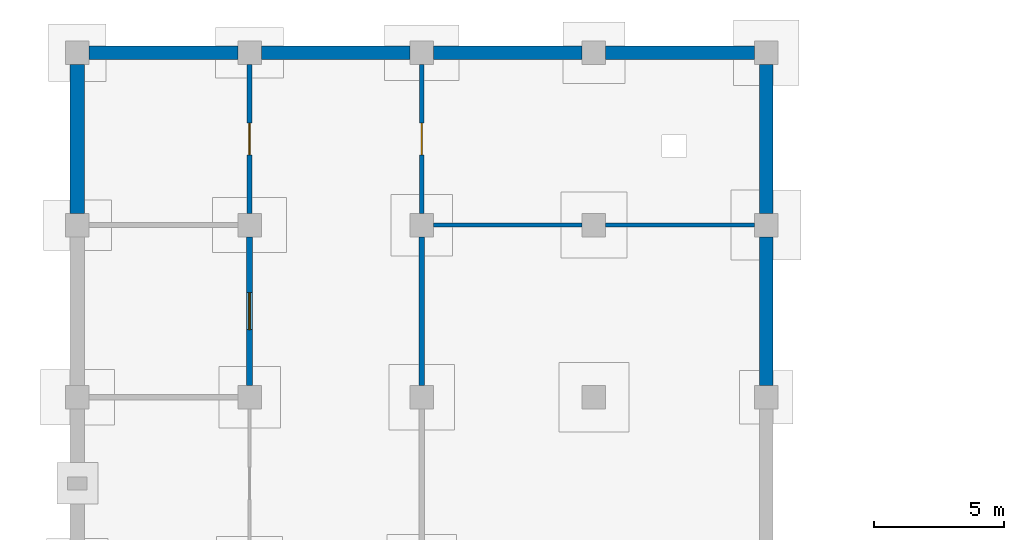
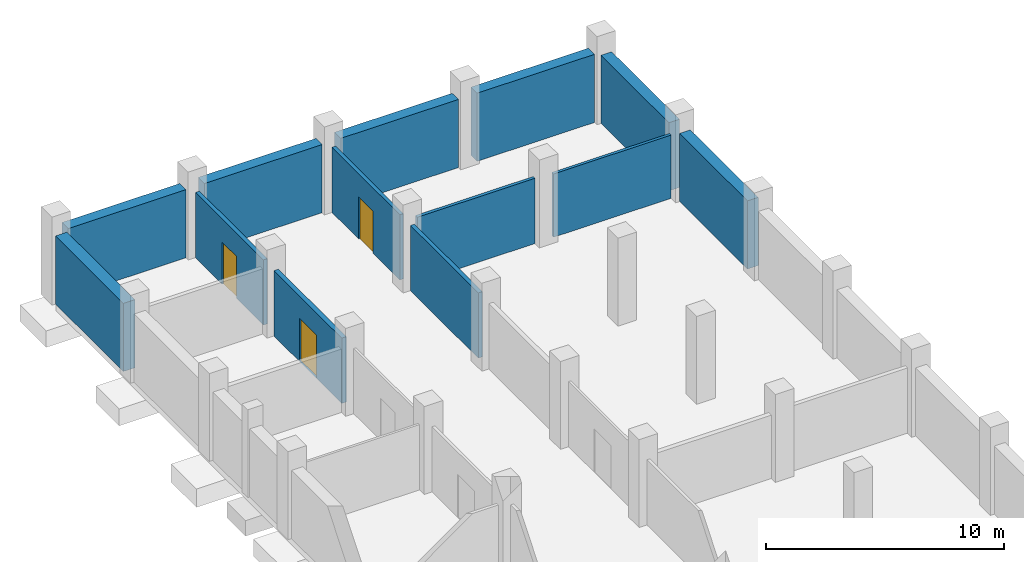
# One storey, part 14 of 18: 13 walls, 3 doors, 3 openings.
"""IFC4 building model written with IfcOpenShell, lengths in metres."""

import ifcopenshell
import ifcopenshell.guid

model = None  # the IFC model being written
_history = None  # IfcOwnerHistory: only IFC2X3 demands one
_inside = {}  # id of a spatial element -> (the spatial element, [elements in it])
_under = {}  # id of a project, library or spatial element -> (it, [spatial elements below it])
_declared = {}  # id of a project -> (the project, [libraries it declares])
_typed = {}  # id of a type object -> (the type object, [elements of that type])
_made_of = {}  # id of a material, layer set ... -> (it, [elements and type objects made of it])


def new_model(schema):
    """Start an empty IFC model of exactly this schema.

    Asked for "IFC4X3", IfcOpenShell would pick the latest addendum, in which some entities
    have other attributes; the version numbers below select the first issue.
    IFC2X3 requires an IfcOwnerHistory on every rooted entity: one is made here for all.
    """
    global model, _history
    if schema == "IFC4X3":
        model = ifcopenshell.file(schema_version=(4, 3, 0, 0))
    else:
        model = ifcopenshell.file(schema=schema)
    _inside.clear()
    _under.clear()
    _declared.clear()
    _typed.clear()
    _made_of.clear()
    _history = None
    if model.schema == "IFC2X3":
        org = make("IfcOrganization", Name="unknown")
        user = make(
            "IfcPersonAndOrganization",
            ThePerson=make("IfcPerson", FamilyName="unknown"),
            TheOrganization=org,
        )
        app = make(
            "IfcApplication",
            ApplicationDeveloper=org,
            Version="unknown",
            ApplicationFullName="unknown",
            ApplicationIdentifier="unknown",
        )
        _history = make(
            "IfcOwnerHistory",
            OwningUser=user,
            OwningApplication=app,
            ChangeAction="ADDED",
            CreationDate=0,
        )
    return model


def make(cls, **values):
    """One entity of the class cls with the attributes given. An attribute that is None is left unset."""
    return model.create_entity(
        cls, **{name: value for name, value in values.items() if value is not None}
    )


def rooted(cls, **values):
    """An entity with a GlobalId (a new one), such as an element, a storey or a relation."""
    return make(cls, GlobalId=ifcopenshell.guid.new(), OwnerHistory=_history, **values)


def si_unit(unit_type, name, prefix=None):
    """IfcSIUnit, for example si_unit("LENGTHUNIT", "METRE", prefix="MILLI")."""
    return make("IfcSIUnit", UnitType=unit_type, Prefix=prefix, Name=name)


def assignment(units):
    """IfcUnitAssignment: the units of a project."""
    return None if units is None else make("IfcUnitAssignment", Units=units)


def point(xyz):
    """IfcCartesianPoint."""
    return None if xyz is None else make("IfcCartesianPoint", Coordinates=xyz)


def direction(xyz):
    """IfcDirection."""
    return None if xyz is None else make("IfcDirection", DirectionRatios=xyz)


def frame(location, z_axis=None, x_axis=None):
    """IfcAxis2Placement3D, a coordinate frame: its origin and axes. An axis left out is left unset."""
    return make(
        "IfcAxis2Placement3D",
        Location=point(location),
        Axis=direction(z_axis),
        RefDirection=direction(x_axis),
    )


def frame_2d(location, x_axis=None):
    """IfcAxis2Placement2D, a coordinate frame in the plane: its origin and x axis."""
    return make(
        "IfcAxis2Placement2D", Location=point(location), RefDirection=direction(x_axis)
    )


def origin():
    """The frame at (0, 0, 0) with its axes left unset."""
    return frame((0.0, 0.0, 0.0))


def place(relative_to, where):
    """IfcLocalPlacement: puts the frame where relative to a parent placement (None: the world)."""
    return make(
        "IfcLocalPlacement", PlacementRelTo=relative_to, RelativePlacement=where
    )


def context(
    kind, dimensions, precision=None, world=None, true_north=None, identifier=None
):
    """IfcGeometricRepresentationContext, for example the 3D "Model" context."""
    return make(
        "IfcGeometricRepresentationContext",
        ContextIdentifier=identifier,
        ContextType=kind,
        CoordinateSpaceDimension=dimensions,
        Precision=precision,
        WorldCoordinateSystem=world,
        TrueNorth=true_north,
    )


def subcontext(parent, identifier, kind, view, scale=None):
    """IfcGeometricRepresentationSubContext, for example "Body" below "Model"."""
    return make(
        "IfcGeometricRepresentationSubContext",
        ContextIdentifier=identifier,
        ContextType=kind,
        ParentContext=parent,
        TargetScale=scale,
        TargetView=view,
    )


def project(units=None, contexts=None):
    """IfcProject with its units and contexts."""
    return rooted(
        "IfcProject",
        Name="project",
        RepresentationContexts=contexts,
        UnitsInContext=assignment(units),
    )


def spatial(cls, under=None, at=None, **own):
    """A site, building, storey or space (cls), placed at a placement, below another one or the project."""
    s = rooted(cls, ObjectPlacement=at, **own)
    if under is not None:
        _under.setdefault(under.id(), (under, []))[1].append(s)
    return s


def profile(cls, at=None, kind="AREA", **sizes):
    """A parametric profile (cls). Its sizes go by their IFC names, for example OverallWidth=200.0."""
    return make(cls, ProfileType=kind, Position=at, **sizes)


def rectangle(**sizes):
    """IfcRectangleProfileDef."""
    return profile("IfcRectangleProfileDef", **sizes)


def extrude(swept, where, along, depth):
    """IfcExtrudedAreaSolid: the profile swept, set in the frame where, extruded along a direction by depth."""
    return make(
        "IfcExtrudedAreaSolid",
        SweptArea=swept,
        Position=where,
        ExtrudedDirection=direction(along),
        Depth=depth,
    )


def shape(context_of_items, identifier, shape_type, items):
    """IfcShapeRepresentation: the items that make up one representation, for example the "Body"."""
    return make(
        "IfcShapeRepresentation",
        ContextOfItems=context_of_items,
        RepresentationIdentifier=identifier,
        RepresentationType=shape_type,
        Items=items,
    )


def material(Name=None, Category=None):
    """IfcMaterial."""
    return make("IfcMaterial", Name=Name, Category=Category)


def layer(
    of_material, thickness, ventilated=None, Name=None, Category=None, Priority=None
):
    """IfcMaterialLayer: one layer of a wall or slab, of a material (None: an air gap)."""
    return make(
        "IfcMaterialLayer",
        Material=of_material,
        LayerThickness=thickness,
        IsVentilated=ventilated,
        Name=Name,
        Category=Category,
        Priority=Priority,
    )


def layer_set(layers, Name=None):
    """IfcMaterialLayerSet."""
    return make("IfcMaterialLayerSet", MaterialLayers=layers, LayerSetName=Name)


def made_of(thing, what):
    """Note that an element or type object is made of a material, layer set ...; save() writes the relation."""
    if what is not None:
        _made_of.setdefault(what.id(), (what, []))[1].append(thing)
    return thing


def type_object(cls, material=None, **own):
    """A type object (cls), such as IfcWallType, which elements share."""
    return made_of(rooted(cls, **own), material)


def element(
    cls,
    number,
    at=None,
    inside=None,
    cuts=None,
    type_object=None,
    material=None,
    context=None,
    identifier="Body",
    shape_type=None,
    held_by="IfcProductDefinitionShape",
    body=None,
    shapes=None,
    **own,
):
    """One element of the class cls, such as IfcWall. Its Tag is "e" and its number.

    at: its placement. inside: the storey or other place that contains it. cuts: it is an
    opening in that element (IfcRelVoidsElement). A single representation is given by context,
    identifier, shape_type and body (its items); several are given by shapes. held_by: the class
    of the entity that holds the representations. save() writes the other relations.
    """
    e = rooted(cls, Tag="e%d" % number, ObjectPlacement=at, **own)
    if body is not None:
        shapes = [shape(context, identifier, shape_type, body)]
    if shapes is not None:
        e.Representation = make(held_by, Representations=shapes)
    if inside is not None:
        _inside.setdefault(inside.id(), (inside, []))[1].append(e)
    if cuts is not None:
        rooted(
            "IfcRelVoidsElement", RelatingBuildingElement=cuts, RelatedOpeningElement=e
        )
    if type_object is not None:
        _typed.setdefault(type_object.id(), (type_object, []))[1].append(e)
    return made_of(e, material)


def fill(opening, filler):
    """IfcRelFillsElement: the door or window that sits in an opening."""
    return rooted(
        "IfcRelFillsElement",
        RelatingOpeningElement=opening,
        RelatedBuildingElement=filler,
    )


def aggregate(whole, parts):
    """IfcRelAggregates: a whole, such as a stair, and the parts it consists of."""
    return rooted("IfcRelAggregates", RelatingObject=whole, RelatedObjects=parts)


def save(model, path):
    """Write the relations noted so far, then the file.

    IfcRelAggregates (storeys below a building ...), IfcRelContainedInSpatialStructure (elements
    in a storey), IfcRelDefinesByType, IfcRelAssociatesMaterial and IfcRelDeclares: one each for
    every whole, place, type object, material and project.
    """
    for whole, parts in _under.values():
        aggregate(whole, parts)
    for where, things in _inside.values():
        rooted(
            "IfcRelContainedInSpatialStructure",
            RelatedElements=things,
            RelatingStructure=where,
        )
    for kind, things in _typed.values():
        rooted("IfcRelDefinesByType", RelatedObjects=things, RelatingType=kind)
    for what, things in _made_of.values():
        rooted("IfcRelAssociatesMaterial", RelatedObjects=things, RelatingMaterial=what)
    for by, libraries in _declared.values():
        rooted("IfcRelDeclares", RelatingContext=by, RelatedDefinitions=libraries)
    model.write(path)


model = new_model("IFC4")

# Units and contexts
model_context = context("Model", 3, precision=1e-05, world=origin(), true_north=direction((0.0, 1.0)))
body_context = subcontext(model_context, "Body", "Model", "MODEL_VIEW")
ifc_project = project(units=[si_unit("LENGTHUNIT", "METRE"), si_unit("AREAUNIT", "SQUARE_METRE"), si_unit("VOLUMEUNIT", "CUBIC_METRE"), si_unit("PLANEANGLEUNIT", "RADIAN"), si_unit("MASSUNIT", "GRAM", prefix="KILO")], contexts=[model_context])

# Site, building, storey
site_placement = place(None, origin())
site = spatial("IfcSite", under=ifc_project, at=site_placement, CompositionType="ELEMENT")
building_placement = place(site_placement, origin())
building = spatial("IfcBuilding", under=site, at=building_placement, Name="Rusizi Kubbe Research Institute", CompositionType="ELEMENT")
storey_placement = place(building_placement, frame((0.0, 0.0, -4.5)))
storey = spatial("IfcBuildingStorey", under=building, at=storey_placement, Name="B01", CompositionType="ELEMENT", Elevation=-4.5)

# Wall, opening, door
ifc_material_1 = material(Name="Concrete Blockwork Fire Partition", Category="masonry")
ifc_layer_1 = layer(ifc_material_1, 0.22509765625)
ifc_layer_set_1 = layer_set([ifc_layer_1], Name="Concrete Blockwork Fire Partition")
wall_type_1 = type_object("IfcWallType", Name="IW-01", PredefinedType="PARTITIONING", material=ifc_layer_set_1)
wall_1_placement = place(storey_placement, frame((6.60009765625, 158.85009765625, 0.0), z_axis=(0.0, 0.0, 1.0), x_axis=(0.0, 1.0, 0.0)))
wall_1 = element("IfcWall", 1, at=wall_1_placement, inside=storey, type_object=wall_type_1, Name="Interior Partition Wall B01 V1-24", PredefinedType="PARTITIONING", context=body_context, shape_type="SweptSolid", body=[
    extrude(rectangle(XDim=5.699951171875, YDim=0.22509765625, at=frame_2d((2.85009765625, 0.0))), origin(), (0.0, 0.0, 1.0), 3.340087890625),
])
opening_1_placement = place(wall_1_placement, frame((2.139892578125, 0.0, 0.0)))
opening_1 = element("IfcOpeningElement", 2, at=opening_1_placement, cuts=wall_1, Name="Opening D-22", PredefinedType="OPENING", context=body_context, shape_type="SweptSolid", body=[
    extrude(rectangle(XDim=1.419921875, YDim=2.199951171875, at=frame_2d((0.7099609375, 1.10009765625))), frame((0.0, 0.12255859375, 0.0), z_axis=(0.0, -1.0, 0.0), x_axis=(1.0, 0.0, 0.0)), (0.0, 0.0, 1.0), 0.2451171875),
])
ifc_material_2 = material(Name="Fire-Rated Steel Frame and Acoustic Timber Leaf", Category="wood")
door_type_1 = type_object("IfcDoorType", Name="ID-STR-142", OperationType="DOUBLE_DOOR_SINGLE_SWING", PredefinedType="DOOR", material=ifc_material_2)
door_1_placement = place(opening_1_placement, origin())
door_1 = element("IfcDoor", 3, at=door_1_placement, inside=storey, type_object=door_type_1, Name="Door to Staff and Accessible Parking Zone (B01-B01W-24)", OperationType="DOUBLE_DOOR_SINGLE_SWING", OverallHeight=2.199951171875, OverallWidth=1.419921875, PredefinedType="DOOR", context=body_context, shape_type="SweptSolid", body=[
    extrude(rectangle(XDim=1.419921875, YDim=2.199951171875, at=frame_2d((0.7099609375, 1.10009765625))), frame((0.0, 0.02490234375, 0.0), z_axis=(0.0, -1.0, 0.0), x_axis=(1.0, 0.0, 0.0)), (0.0, 0.0, 1.0), 0.050048828125),
])
fill(opening_1, door_1)

ifc_material_3 = material(Name="Insulated Cleanroom Partition", Category="masonry")
ifc_layer_2 = layer(ifc_material_3, 0.195068359375)
ifc_layer_set_2 = layer_set([ifc_layer_2], Name="Insulated Cleanroom Partition")
wall_type_2 = type_object("IfcWallType", Name="IW-02", PredefinedType="PARTITIONING", material=ifc_layer_set_2)
wall_2_placement = place(storey_placement, frame((6.60009765625, 165.449951171875, 0.0), z_axis=(0.0, 0.0, 1.0), x_axis=(0.0, 1.0, 0.0)))
wall_2 = element("IfcWall", 4, at=wall_2_placement, inside=storey, type_object=wall_type_2, Name="Interior Partition Wall B01 V1-25", PredefinedType="PARTITIONING", context=body_context, shape_type="SweptSolid", body=[
    extrude(rectangle(XDim=5.699951171875, YDim=0.195068359375, at=frame_2d((2.85009765625, 0.0))), origin(), (0.0, 0.0, 1.0), 3.340087890625),
])
opening_2_placement = place(wall_2_placement, frame((2.239990234375, 0.0, 0.0)))
opening_2 = element("IfcOpeningElement", 5, at=opening_2_placement, cuts=wall_2, Name="Opening D-21", PredefinedType="OPENING", context=body_context, shape_type="SweptSolid", body=[
    extrude(rectangle(XDim=1.219970703125, YDim=2.14990234375, at=frame_2d((0.60986328125, 1.074951171875))), frame((0.0, 0.107421875, 0.0), z_axis=(0.0, -1.0, 0.0), x_axis=(1.0, 0.0, 0.0)), (0.0, 0.0, 1.0), 0.215087890625),
])
ifc_material_4 = material(Name="Fire-Rated Steel Frame and Acoustic Timber Leaf", Category="wood")
door_type_2 = type_object("IfcDoorType", Name="ID-STR-122", OperationType="NOTDEFINED", PredefinedType="DOOR", material=ifc_material_4)
door_2_placement = place(opening_2_placement, origin())
door_2 = element("IfcDoor", 6, at=door_2_placement, inside=storey, type_object=door_type_2, Name="Door to Staff and Accessible Parking Zone (B01-B01W-25)", OperationType="SINGLE_SWING_RIGHT", OverallHeight=2.14990234375, OverallWidth=1.219970703125, PredefinedType="DOOR", context=body_context, shape_type="SweptSolid", body=[
    extrude(rectangle(XDim=1.219970703125, YDim=2.14990234375, at=frame_2d((0.60986328125, 1.074951171875))), frame((0.0, 0.02490234375, 0.0), z_axis=(0.0, -1.0, 0.0), x_axis=(1.0, 0.0, 0.0)), (0.0, 0.0, 1.0), 0.050048828125),
])
fill(opening_2, door_2)

# Wall
wall_3_placement = place(storey_placement, frame((13.199951171875, 158.85009765625, 0.0), z_axis=(0.0, 0.0, 1.0), x_axis=(0.0, 1.0, 0.0)))
element("IfcWall", 7, at=wall_3_placement, inside=storey, type_object=wall_type_2, Name="Interior Partition Wall B01 V2-24", PredefinedType="PARTITIONING", context=body_context, shape_type="SweptSolid", body=[
    extrude(rectangle(XDim=5.699951171875, YDim=0.195068359375, at=frame_2d((2.85009765625, 0.0))), origin(), (0.0, 0.0, 1.0), 3.340087890625),
])

# Wall, opening, door
ifc_material_5 = material(Name="Acoustic Laboratory Partition", Category="masonry")
ifc_layer_3 = layer(ifc_material_5, 0.175048828125)
ifc_layer_set_3 = layer_set([ifc_layer_3], Name="Acoustic Laboratory Partition")
wall_type_3 = type_object("IfcWallType", Name="IW-03", PredefinedType="PARTITIONING", material=ifc_layer_set_3)
wall_4_placement = place(storey_placement, frame((13.199951171875, 165.449951171875, 0.0), z_axis=(0.0, 0.0, 1.0), x_axis=(0.0, 1.0, 0.0)))
wall_4 = element("IfcWall", 8, at=wall_4_placement, inside=storey, type_object=wall_type_3, Name="Interior Partition Wall B01 V2-25", PredefinedType="PARTITIONING", context=body_context, shape_type="SweptSolid", body=[
    extrude(rectangle(XDim=5.699951171875, YDim=0.175048828125, at=frame_2d((2.85009765625, 0.0))), origin(), (0.0, 0.0, 1.0), 3.340087890625),
])
opening_3_placement = place(wall_4_placement, frame((2.239990234375, 0.0, 0.0)))
opening_3 = element("IfcOpeningElement", 9, at=opening_3_placement, cuts=wall_4, Name="Opening D-21", PredefinedType="OPENING", context=body_context, shape_type="SweptSolid", body=[
    extrude(rectangle(XDim=1.219970703125, YDim=2.14990234375, at=frame_2d((0.60986328125, 1.074951171875))), frame((0.0, 0.097412109375, 0.0), z_axis=(0.0, -1.0, 0.0), x_axis=(1.0, 0.0, 0.0)), (0.0, 0.0, 1.0), 0.195068359375),
])
door_3_placement = place(opening_3_placement, origin())
door_3 = element("IfcDoor", 10, at=door_3_placement, inside=storey, type_object=door_type_2, Name="Door to Basement Vehicle Parking Hall (B01-NW-09)", OperationType="SINGLE_SWING_RIGHT", OverallHeight=2.14990234375, OverallWidth=1.219970703125, PredefinedType="DOOR", context=body_context, shape_type="SweptSolid", body=[
    extrude(rectangle(XDim=1.219970703125, YDim=2.14990234375, at=frame_2d((0.60986328125, 1.074951171875))), frame((0.0, 0.02490234375, 0.0), z_axis=(0.0, -1.0, 0.0), x_axis=(1.0, 0.0, 0.0)), (0.0, 0.0, 1.0), 0.050048828125),
])
fill(opening_3, door_3)

# Walls
ifc_material_6 = material(Name="Fire-Rated Corridor Partition", Category="masonry")
ifc_layer_4 = layer(ifc_material_6, 0.155029296875)
ifc_layer_set_4 = layer_set([ifc_layer_4], Name="Fire-Rated Corridor Partition")
wall_type_4 = type_object("IfcWallType", Name="IW-04", PredefinedType="PARTITIONING", material=ifc_layer_set_4)
wall_5_placement = place(storey_placement, frame((13.64990234375, 165.0, 0.0), z_axis=(0.0, 0.0, 1.0), x_axis=(1.0, 0.0, 0.0)))
element("IfcWall", 11, at=wall_5_placement, inside=storey, type_object=wall_type_4, Name="Interior Partition Wall B01 H2-25", PredefinedType="PARTITIONING", context=body_context, shape_type="SweptSolid", body=[
    extrude(rectangle(XDim=5.7001953125, YDim=0.155029296875, at=frame_2d((2.85009765625, 0.0))), origin(), (0.0, 0.0, 1.0), 3.340087890625),
])
ifc_material_7 = material(Name="Write-up Glazed Acoustic Partition", Category="masonry")
ifc_layer_5 = layer(ifc_material_7, 0.139892578125)
ifc_layer_set_5 = layer_set([ifc_layer_5], Name="Write-up Glazed Acoustic Partition")
wall_type_5 = type_object("IfcWallType", Name="IW-05", PredefinedType="PARTITIONING", material=ifc_layer_set_5)
wall_6_placement = place(storey_placement, frame((20.25, 165.0, 0.0), z_axis=(0.0, 0.0, 1.0), x_axis=(1.0, 0.0, 0.0)))
element("IfcWall", 12, at=wall_6_placement, inside=storey, type_object=wall_type_5, Name="Interior Partition Wall B01 H3-25", PredefinedType="PARTITIONING", context=body_context, shape_type="SweptSolid", body=[
    extrude(rectangle(XDim=5.699951171875, YDim=0.139892578125, at=frame_2d((2.85009765625, 0.0))), origin(), (0.0, 0.0, 1.0), 3.239990234375),
])
ifc_material_8 = material(Name="Concrete C45/55", Category="concrete")
ifc_layer_6 = layer(ifc_material_8, 0.56005859375)
ifc_layer_set_6 = layer_set([ifc_layer_6], Name="Concrete C45/55")
wall_type_6 = type_object("IfcWallType", Name="RW-01", PredefinedType="USERDEFINED", material=ifc_layer_set_6)
wall_7_placement = place(storey_placement, frame((0.0, 165.449951171875, 0.0), z_axis=(0.0, 0.0, 1.0), x_axis=(0.0, 1.0, 0.0)))
element("IfcWall", 13, at=wall_7_placement, inside=storey, type_object=wall_type_6, Name="Basement Retaining Wall B01 V0-25", ObjectType="RETAINING WALL", PredefinedType="USERDEFINED", context=body_context, shape_type="SweptSolid", body=[
    extrude(rectangle(XDim=5.699951171875, YDim=0.56005859375, at=frame_2d((2.85009765625, 0.0))), origin(), (0.0, 0.0, 1.0), 3.489990234375),
])
ifc_material_9 = material(Name="Concrete C45/55", Category="concrete")
ifc_layer_7 = layer(ifc_material_9, 0.52001953125)
ifc_layer_set_7 = layer_set([ifc_layer_7], Name="Concrete C45/55")
wall_type_7 = type_object("IfcWallType", Name="RW-02", PredefinedType="USERDEFINED", material=ifc_layer_set_7)
for number, where, z_axis, x_axis, name in (
    (14, (0.449951171875, 171.60009765625, 0.0), (0.0, 0.0, 1.0), (1.0, 0.0, 0.0), "Basement Retaining Wall B01 H0-26"),
    (15, (7.050048828125, 171.60009765625, 0.0), (0.0, 0.0, 1.0), (1.0, 0.0, 0.0), "Basement Retaining Wall B01 H1-26"),
):
    element("IfcWall", number, at=place(storey_placement, frame(where, z_axis=z_axis, x_axis=x_axis)), inside=storey, type_object=wall_type_7, Name=name, ObjectType="RETAINING WALL", PredefinedType="USERDEFINED", context=body_context, shape_type="SweptSolid", body=[
        extrude(rectangle(XDim=5.699951171875, YDim=0.52001953125, at=frame_2d((2.85009765625, 0.0))), origin(), (0.0, 0.0, 1.0), 3.489990234375),
    ])
wall_8_placement = place(storey_placement, frame((13.64990234375, 171.60009765625, 0.0), z_axis=(0.0, 0.0, 1.0), x_axis=(1.0, 0.0, 0.0)))
element("IfcWall", 16, at=wall_8_placement, inside=storey, type_object=wall_type_7, Name="Basement Retaining Wall B01 H2-26", ObjectType="RETAINING WALL", PredefinedType="USERDEFINED", context=body_context, shape_type="SweptSolid", body=[
    extrude(rectangle(XDim=5.7001953125, YDim=0.52001953125, at=frame_2d((2.85009765625, 0.0))), origin(), (0.0, 0.0, 1.0), 3.489990234375),
])
for number, where, z_axis, x_axis, name in (
    (17, (26.39990234375, 158.85009765625, 0.0), (0.0, 0.0, 1.0), (0.0, 1.0, 0.0), "Basement Retaining Wall B01 V4-24"),
    (18, (20.25, 171.60009765625, 0.0), (0.0, 0.0, 1.0), (1.0, 0.0, 0.0), "Basement Retaining Wall B01 H3-26"),
    (19, (26.39990234375, 165.449951171875, 0.0), (0.0, 0.0, 1.0), (0.0, 1.0, 0.0), "Basement Retaining Wall B01 V4-25"),
):
    element("IfcWall", number, at=place(storey_placement, frame(where, z_axis=z_axis, x_axis=x_axis)), inside=storey, type_object=wall_type_7, Name=name, ObjectType="RETAINING WALL", PredefinedType="USERDEFINED", context=body_context, shape_type="SweptSolid", body=[
        extrude(rectangle(XDim=5.699951171875, YDim=0.52001953125, at=frame_2d((2.85009765625, 0.0))), origin(), (0.0, 0.0, 1.0), 3.489990234375),
    ])

save(model, "model.ifc")
